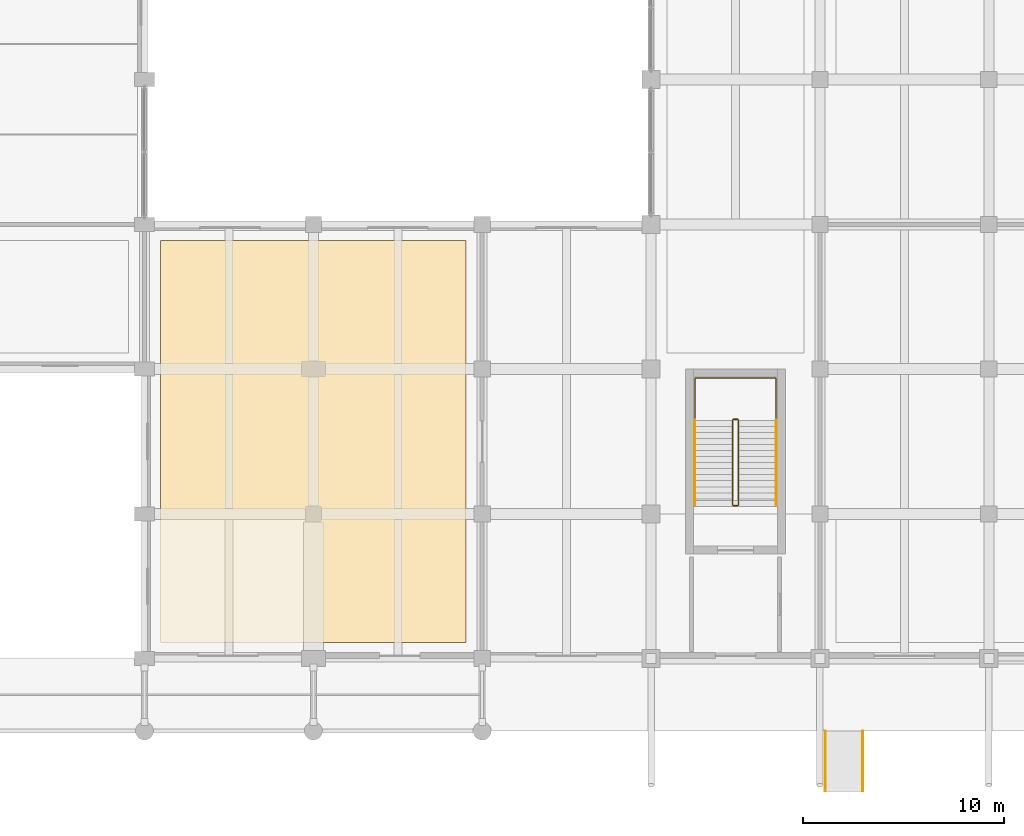
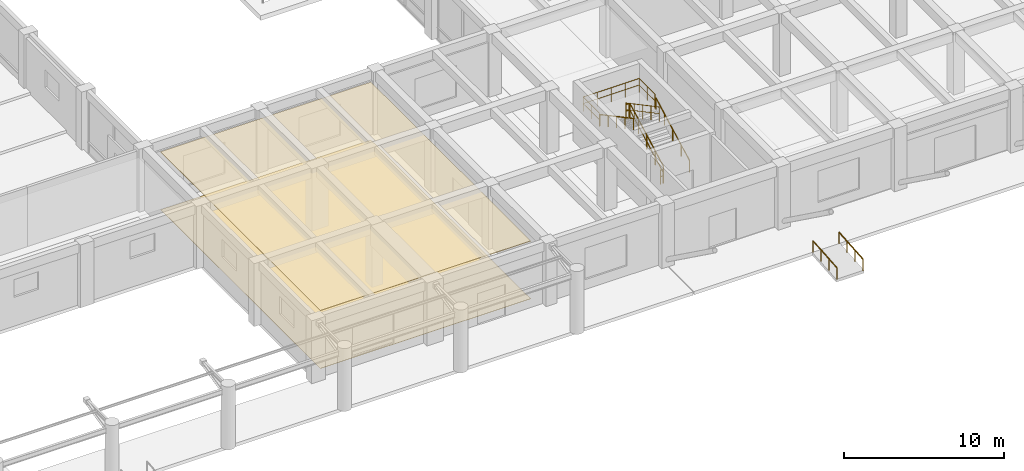
# One storey, part 39 of 49: 9 railings, 2 coverings.
"""IFC4 building model written with IfcOpenShell, lengths in metres."""

import ifcopenshell
import ifcopenshell.guid

model = None  # the IFC model being written
_history = None  # IfcOwnerHistory: only IFC2X3 demands one
_inside = {}  # id of a spatial element -> (the spatial element, [elements in it])
_under = {}  # id of a project, library or spatial element -> (it, [spatial elements below it])
_declared = {}  # id of a project -> (the project, [libraries it declares])
_typed = {}  # id of a type object -> (the type object, [elements of that type])
_made_of = {}  # id of a material, layer set ... -> (it, [elements and type objects made of it])


def new_model(schema):
    """Start an empty IFC model of exactly this schema.

    Asked for "IFC4X3", IfcOpenShell would pick the latest addendum, in which some entities
    have other attributes; the version numbers below select the first issue.
    IFC2X3 requires an IfcOwnerHistory on every rooted entity: one is made here for all.
    """
    global model, _history
    if schema == "IFC4X3":
        model = ifcopenshell.file(schema_version=(4, 3, 0, 0))
    else:
        model = ifcopenshell.file(schema=schema)
    _inside.clear()
    _under.clear()
    _declared.clear()
    _typed.clear()
    _made_of.clear()
    _history = None
    if model.schema == "IFC2X3":
        org = make("IfcOrganization", Name="unknown")
        user = make(
            "IfcPersonAndOrganization",
            ThePerson=make("IfcPerson", FamilyName="unknown"),
            TheOrganization=org,
        )
        app = make(
            "IfcApplication",
            ApplicationDeveloper=org,
            Version="unknown",
            ApplicationFullName="unknown",
            ApplicationIdentifier="unknown",
        )
        _history = make(
            "IfcOwnerHistory",
            OwningUser=user,
            OwningApplication=app,
            ChangeAction="ADDED",
            CreationDate=0,
        )
    return model


def make(cls, **values):
    """One entity of the class cls with the attributes given. An attribute that is None is left unset."""
    return model.create_entity(
        cls, **{name: value for name, value in values.items() if value is not None}
    )


def rooted(cls, **values):
    """An entity with a GlobalId (a new one), such as an element, a storey or a relation."""
    return make(cls, GlobalId=ifcopenshell.guid.new(), OwnerHistory=_history, **values)


def si_unit(unit_type, name, prefix=None):
    """IfcSIUnit, for example si_unit("LENGTHUNIT", "METRE", prefix="MILLI")."""
    return make("IfcSIUnit", UnitType=unit_type, Prefix=prefix, Name=name)


def assignment(units):
    """IfcUnitAssignment: the units of a project."""
    return None if units is None else make("IfcUnitAssignment", Units=units)


def point(xyz):
    """IfcCartesianPoint."""
    return None if xyz is None else make("IfcCartesianPoint", Coordinates=xyz)


def direction(xyz):
    """IfcDirection."""
    return None if xyz is None else make("IfcDirection", DirectionRatios=xyz)


def frame(location, z_axis=None, x_axis=None):
    """IfcAxis2Placement3D, a coordinate frame: its origin and axes. An axis left out is left unset."""
    return make(
        "IfcAxis2Placement3D",
        Location=point(location),
        Axis=direction(z_axis),
        RefDirection=direction(x_axis),
    )


def frame_2d(location, x_axis=None):
    """IfcAxis2Placement2D, a coordinate frame in the plane: its origin and x axis."""
    return make(
        "IfcAxis2Placement2D", Location=point(location), RefDirection=direction(x_axis)
    )


def origin():
    """The frame at (0, 0, 0) with its axes left unset."""
    return frame((0.0, 0.0, 0.0))


def origin_2d():
    """The frame at (0, 0) in the plane with its x axis left unset."""
    return frame_2d((0.0, 0.0))


def place(relative_to, where):
    """IfcLocalPlacement: puts the frame where relative to a parent placement (None: the world)."""
    return make(
        "IfcLocalPlacement", PlacementRelTo=relative_to, RelativePlacement=where
    )


def context(
    kind, dimensions, precision=None, world=None, true_north=None, identifier=None
):
    """IfcGeometricRepresentationContext, for example the 3D "Model" context."""
    return make(
        "IfcGeometricRepresentationContext",
        ContextIdentifier=identifier,
        ContextType=kind,
        CoordinateSpaceDimension=dimensions,
        Precision=precision,
        WorldCoordinateSystem=world,
        TrueNorth=true_north,
    )


def subcontext(parent, identifier, kind, view, scale=None):
    """IfcGeometricRepresentationSubContext, for example "Body" below "Model"."""
    return make(
        "IfcGeometricRepresentationSubContext",
        ContextIdentifier=identifier,
        ContextType=kind,
        ParentContext=parent,
        TargetScale=scale,
        TargetView=view,
    )


def project(units=None, contexts=None):
    """IfcProject with its units and contexts."""
    return rooted(
        "IfcProject",
        Name="project",
        RepresentationContexts=contexts,
        UnitsInContext=assignment(units),
    )


def spatial(cls, under=None, at=None, **own):
    """A site, building, storey or space (cls), placed at a placement, below another one or the project."""
    s = rooted(cls, ObjectPlacement=at, **own)
    if under is not None:
        _under.setdefault(under.id(), (under, []))[1].append(s)
    return s


def polyline(points):
    """IfcPolyline through the points."""
    return make("IfcPolyline", Points=[point(p) for p in points])


def profile(cls, at=None, kind="AREA", **sizes):
    """A parametric profile (cls). Its sizes go by their IFC names, for example OverallWidth=200.0."""
    return make(cls, ProfileType=kind, Position=at, **sizes)


def circle(**sizes):
    """IfcCircleProfileDef."""
    return profile("IfcCircleProfileDef", **sizes)


def outline(outer, holes=None, kind="AREA"):
    """IfcArbitraryClosedProfileDef: a profile drawn as a closed curve; with holes, ...WithVoids."""
    if holes is None:
        return make("IfcArbitraryClosedProfileDef", ProfileType=kind, OuterCurve=outer)
    return make(
        "IfcArbitraryProfileDefWithVoids",
        ProfileType=kind,
        OuterCurve=outer,
        InnerCurves=holes,
    )


def extrude(swept, where, along, depth):
    """IfcExtrudedAreaSolid: the profile swept, set in the frame where, extruded along a direction by depth."""
    return make(
        "IfcExtrudedAreaSolid",
        SweptArea=swept,
        Position=where,
        ExtrudedDirection=direction(along),
        Depth=depth,
    )


def shape(context_of_items, identifier, shape_type, items):
    """IfcShapeRepresentation: the items that make up one representation, for example the "Body"."""
    return make(
        "IfcShapeRepresentation",
        ContextOfItems=context_of_items,
        RepresentationIdentifier=identifier,
        RepresentationType=shape_type,
        Items=items,
    )


def material(Name=None, Category=None):
    """IfcMaterial."""
    return make("IfcMaterial", Name=Name, Category=Category)


def layer(
    of_material, thickness, ventilated=None, Name=None, Category=None, Priority=None
):
    """IfcMaterialLayer: one layer of a wall or slab, of a material (None: an air gap)."""
    return make(
        "IfcMaterialLayer",
        Material=of_material,
        LayerThickness=thickness,
        IsVentilated=ventilated,
        Name=Name,
        Category=Category,
        Priority=Priority,
    )


def layer_set(layers, Name=None):
    """IfcMaterialLayerSet."""
    return make("IfcMaterialLayerSet", MaterialLayers=layers, LayerSetName=Name)


def made_of(thing, what):
    """Note that an element or type object is made of a material, layer set ...; save() writes the relation."""
    if what is not None:
        _made_of.setdefault(what.id(), (what, []))[1].append(thing)
    return thing


def type_object(cls, material=None, **own):
    """A type object (cls), such as IfcWallType, which elements share."""
    return made_of(rooted(cls, **own), material)


def element(
    cls,
    number,
    at=None,
    inside=None,
    cuts=None,
    type_object=None,
    material=None,
    context=None,
    identifier="Body",
    shape_type=None,
    held_by="IfcProductDefinitionShape",
    body=None,
    shapes=None,
    **own,
):
    """One element of the class cls, such as IfcWall. Its Tag is "e" and its number.

    at: its placement. inside: the storey or other place that contains it. cuts: it is an
    opening in that element (IfcRelVoidsElement). A single representation is given by context,
    identifier, shape_type and body (its items); several are given by shapes. held_by: the class
    of the entity that holds the representations. save() writes the other relations.
    """
    e = rooted(cls, Tag="e%d" % number, ObjectPlacement=at, **own)
    if body is not None:
        shapes = [shape(context, identifier, shape_type, body)]
    if shapes is not None:
        e.Representation = make(held_by, Representations=shapes)
    if inside is not None:
        _inside.setdefault(inside.id(), (inside, []))[1].append(e)
    if cuts is not None:
        rooted(
            "IfcRelVoidsElement", RelatingBuildingElement=cuts, RelatedOpeningElement=e
        )
    if type_object is not None:
        _typed.setdefault(type_object.id(), (type_object, []))[1].append(e)
    return made_of(e, material)


def aggregate(whole, parts):
    """IfcRelAggregates: a whole, such as a stair, and the parts it consists of."""
    return rooted("IfcRelAggregates", RelatingObject=whole, RelatedObjects=parts)


def save(model, path):
    """Write the relations noted so far, then the file.

    IfcRelAggregates (storeys below a building ...), IfcRelContainedInSpatialStructure (elements
    in a storey), IfcRelDefinesByType, IfcRelAssociatesMaterial and IfcRelDeclares: one each for
    every whole, place, type object, material and project.
    """
    for whole, parts in _under.values():
        aggregate(whole, parts)
    for where, things in _inside.values():
        rooted(
            "IfcRelContainedInSpatialStructure",
            RelatedElements=things,
            RelatingStructure=where,
        )
    for kind, things in _typed.values():
        rooted("IfcRelDefinesByType", RelatedObjects=things, RelatingType=kind)
    for what, things in _made_of.values():
        rooted("IfcRelAssociatesMaterial", RelatedObjects=things, RelatingMaterial=what)
    for by, libraries in _declared.values():
        rooted("IfcRelDeclares", RelatingContext=by, RelatedDefinitions=libraries)
    model.write(path)


model = new_model("IFC4")

# Units and contexts
model_context = context("Model", 3, precision=1e-05, world=origin(), true_north=direction((0.0, 1.0)))
body_context = subcontext(model_context, "Body", "Model", "MODEL_VIEW")
ifc_project = project(units=[si_unit("LENGTHUNIT", "METRE"), si_unit("AREAUNIT", "SQUARE_METRE"), si_unit("VOLUMEUNIT", "CUBIC_METRE"), si_unit("PLANEANGLEUNIT", "RADIAN"), si_unit("MASSUNIT", "GRAM", prefix="KILO")], contexts=[model_context])

# Site, building, storey
site_placement = place(None, origin())
site = spatial("IfcSite", under=ifc_project, at=site_placement, CompositionType="ELEMENT")
building_placement = place(site_placement, origin())
building = spatial("IfcBuilding", under=site, at=building_placement, Name="Kenerak Square Central Library", CompositionType="ELEMENT")
storey_placement = place(building_placement, origin())
storey = spatial("IfcBuildingStorey", under=building, at=storey_placement, Name="L00", CompositionType="ELEMENT", Elevation=0.0)

# Coverings
ifc_material_1 = material(Name="Chengal hardwood timber SG1", Category="wood")
ifc_layer_1 = layer(ifc_material_1, 0.044921875)
ifc_layer_set_1 = layer_set([ifc_layer_1], Name="Chengal hardwood timber SG1")
covering_type_1 = type_object("IfcCoveringType", Name="Perforated Chengal Acoustic Ceiling CV-CEIL", PredefinedType="CEILING", material=ifc_layer_set_1)
covering_1_placement = place(storey_placement, frame((0.0, 0.0, 4.405029296875)))
element("IfcCovering", 1, at=covering_1_placement, inside=storey, type_object=covering_type_1, Name="Acoustic Ceiling L00-04", PredefinedType="CEILING", context=body_context, shape_type="SweptSolid", body=[
    extrude(outline(polyline([(34.0, 37.60009765625), (49.199951171875, 37.60009765625), (49.199951171875, 17.60009765625), (34.0, 17.60009765625), (34.0, 37.60009765625)])), origin(), (0.0, 0.0, 1.0), 0.044921875),
])
ifc_material_2 = material(Name="Polished granite aggregate terrazzo", Category="masonry")
ifc_layer_2 = layer(ifc_material_2, 0.02490234375)
ifc_layer_set_2 = layer_set([ifc_layer_2], Name="Polished granite aggregate terrazzo")
covering_type_2 = type_object("IfcCoveringType", Name="Polished Terrazzo Reading Floor Finish CV-FLR", PredefinedType="FLOORING", material=ifc_layer_set_2)
covering_2_placement = place(storey_placement, origin())
element("IfcCovering", 2, at=covering_2_placement, inside=storey, type_object=covering_type_2, Name="Terrazzo Floor Finish L00-04", PredefinedType="FLOORING", context=body_context, shape_type="SweptSolid", body=[
    extrude(outline(polyline([(34.0, 37.60009765625), (49.199951171875, 37.60009765625), (49.199951171875, 17.60009765625), (34.0, 17.60009765625), (34.0, 37.60009765625)])), origin(), (0.0, 0.0, 1.0), 0.02490234375),
])

# Railings
ifc_material_3 = material(Name="Steel S355", Category="steel")
railing_type_1 = type_object("IfcRailingType", Name="Safety Guardrail GR-1100 S355", PredefinedType="GUARDRAIL", material=ifc_material_3)
railing_1_placement = place(storey_placement, frame((62.75, 24.449951171875, 0.159912109375)))
element("IfcRailing", 3, at=railing_1_placement, inside=storey, type_object=railing_type_1, Name="L00 ST-04 stair guard 1", PredefinedType="GUARDRAIL", context=body_context, shape_type="SweptSolid", body=[
    extrude(circle(Radius=0.02392578125, at=origin_2d()), frame((0.0, 0.0, 1.076171875), z_axis=(0.0, 0.882351521365, 0.470590897432), x_axis=(-1.0, 0.0, 0.0)), (0.0, 0.0, 1.0), 4.760009765625),
    extrude(circle(Radius=0.01806640625, at=origin_2d()), frame((0.0, 0.0, 0.572021484375), z_axis=(0.0, 0.882351521365, 0.470590897432), x_axis=(-1.0, 0.0, 0.0)), (0.0, 0.0, 1.0), 4.760009765625),
    extrude(circle(Radius=0.02099609375, at=origin_2d()), origin(), (0.0, 0.0, 1.0), 1.052001953125),
    extrude(circle(Radius=0.02099609375, at=origin_2d()), frame((0.0, 1.050048828125, 0.56005859375)), (0.0, 0.0, 1.0), 1.052001953125),
    extrude(circle(Radius=0.02099609375, at=origin_2d()), frame((0.0, 2.10009765625, 1.1201171875)), (0.0, 0.0, 1.0), 1.052001953125),
    extrude(circle(Radius=0.02099609375, at=origin_2d()), frame((0.0, 3.14990234375, 1.679931640625)), (0.0, 0.0, 1.0), 1.052001953125),
    extrude(circle(Radius=0.02099609375, at=origin_2d()), frame((0.0, 4.199951171875, 2.239990234375)), (0.0, 0.0, 1.0), 1.052001953125),
])
railing_2_placement = place(storey_placement, frame((62.699951171875, 28.699951171875, 2.39990234375)))
element("IfcRailing", 4, at=railing_2_placement, inside=storey, type_object=railing_type_1, Name="L00 ST-04 stair guard 2", PredefinedType="GUARDRAIL", context=body_context, shape_type="SweptSolid", body=[
    extrude(circle(Radius=0.02392578125, at=origin_2d()), frame((0.0, 0.0, 1.076171875), z_axis=(-1.0, 0.0, 0.0), x_axis=(0.0, -1.0, 0.0)), (0.0, 0.0, 1.0), 0.199951171875),
    extrude(circle(Radius=0.01806640625, at=origin_2d()), frame((0.0, 0.0, 0.572021484375), z_axis=(-1.0, 0.0, 0.0), x_axis=(0.0, -1.0, 0.0)), (0.0, 0.0, 1.0), 0.199951171875),
    extrude(circle(Radius=0.02099609375, at=origin_2d()), origin(), (0.0, 0.0, 1.0), 1.052001953125),
    extrude(circle(Radius=0.02099609375, at=origin_2d()), frame((-0.199951171875, 0.0, 0.0)), (0.0, 0.0, 1.0), 1.052001953125),
])
railing_3_placement = place(storey_placement, frame((62.449951171875, 28.64990234375, 2.56005859375)))
element("IfcRailing", 5, at=railing_3_placement, inside=storey, type_object=railing_type_1, Name="L00 ST-04 stair guard 3", PredefinedType="GUARDRAIL", context=body_context, shape_type="SweptSolid", body=[
    extrude(circle(Radius=0.02392578125, at=origin_2d()), frame((0.0, 0.0, 1.076171875), z_axis=(0.0, -0.882351521365, 0.470590897432), x_axis=(1.0, 0.0, 0.0)), (0.0, 0.0, 1.0), 4.760009765625),
    extrude(circle(Radius=0.01806640625, at=origin_2d()), frame((0.0, 0.0, 0.572021484375), z_axis=(0.0, -0.882351521365, 0.470590897432), x_axis=(1.0, 0.0, 0.0)), (0.0, 0.0, 1.0), 4.760009765625),
    extrude(circle(Radius=0.02099609375, at=origin_2d()), origin(), (0.0, 0.0, 1.0), 1.052001953125),
    extrude(circle(Radius=0.02099609375, at=origin_2d()), frame((0.0, -1.050048828125, 0.56005859375)), (0.0, 0.0, 1.0), 1.052001953125),
    extrude(circle(Radius=0.02099609375, at=origin_2d()), frame((0.0, -2.10009765625, 1.1201171875)), (0.0, 0.0, 1.0), 1.052001953125),
    extrude(circle(Radius=0.02099609375, at=origin_2d()), frame((0.0, -3.14990234375, 1.679931640625)), (0.0, 0.0, 1.0), 1.052001953125),
    extrude(circle(Radius=0.02099609375, at=origin_2d()), frame((0.0, -4.199951171875, 2.239990234375)), (0.0, 0.0, 1.0), 1.052001953125),
])
railing_4_placement = place(storey_placement, frame((62.699951171875, 24.39990234375, 0.0)))
element("IfcRailing", 6, at=railing_4_placement, inside=storey, type_object=railing_type_1, Name="L00 ST-04 stair guard 4", PredefinedType="GUARDRAIL", context=body_context, shape_type="SweptSolid", body=[
    extrude(circle(Radius=0.02392578125, at=origin_2d()), frame((0.0, 0.0, 1.076171875), z_axis=(-1.0, 0.0, 0.0), x_axis=(0.0, -1.0, 0.0)), (0.0, 0.0, 1.0), 0.199951171875),
    extrude(circle(Radius=0.01806640625, at=origin_2d()), frame((0.0, 0.0, 0.572021484375), z_axis=(-1.0, 0.0, 0.0), x_axis=(0.0, -1.0, 0.0)), (0.0, 0.0, 1.0), 0.199951171875),
    extrude(circle(Radius=0.02099609375, at=origin_2d()), origin(), (0.0, 0.0, 1.0), 1.052001953125),
    extrude(circle(Radius=0.02099609375, at=origin_2d()), frame((-0.199951171875, 0.0, 0.0)), (0.0, 0.0, 1.0), 1.052001953125),
])
railing_5_placement = place(storey_placement, frame((60.580078125, 28.75, 2.39990234375)))
element("IfcRailing", 7, at=railing_5_placement, inside=storey, type_object=railing_type_1, Name="Stair Half-Landing Guard ST-04 L00", PredefinedType="GUARDRAIL", context=body_context, shape_type="SweptSolid", body=[
    extrude(circle(Radius=0.02392578125, at=origin_2d()), frame((0.0, 0.0, 1.076171875), z_axis=(0.0, 1.0, 0.0), x_axis=(-1.0, 0.0, 0.0)), (0.0, 0.0, 1.0), 2.0),
    extrude(circle(Radius=0.01806640625, at=origin_2d()), frame((0.0, 0.0, 0.572021484375), z_axis=(0.0, 1.0, 0.0), x_axis=(-1.0, 0.0, 0.0)), (0.0, 0.0, 1.0), 2.0),
    extrude(circle(Radius=0.02392578125, at=origin_2d()), frame((0.0, 2.0, 1.076171875), z_axis=(1.0, 0.0, 0.0), x_axis=(0.0, 1.0, 0.0)), (0.0, 0.0, 1.0), 4.0400390625),
    extrude(circle(Radius=0.01806640625, at=origin_2d()), frame((0.0, 2.0, 0.572021484375), z_axis=(1.0, 0.0, 0.0), x_axis=(0.0, 1.0, 0.0)), (0.0, 0.0, 1.0), 4.0400390625),
    extrude(circle(Radius=0.02392578125, at=origin_2d()), frame((4.0400390625, 2.0, 1.076171875), z_axis=(0.0, -1.0, 0.0), x_axis=(1.0, 0.0, 0.0)), (0.0, 0.0, 1.0), 2.0),
    extrude(circle(Radius=0.01806640625, at=origin_2d()), frame((4.0400390625, 2.0, 0.572021484375), z_axis=(0.0, -1.0, 0.0), x_axis=(1.0, 0.0, 0.0)), (0.0, 0.0, 1.0), 2.0),
    extrude(circle(Radius=0.02099609375, at=origin_2d()), origin(), (0.0, 0.0, 1.0), 1.052001953125),
    extrude(circle(Radius=0.02099609375, at=origin_2d()), frame((0.0, 1.0, 0.0)), (0.0, 0.0, 1.0), 1.052001953125),
    extrude(circle(Radius=0.02099609375, at=origin_2d()), frame((0.0, 2.0, 0.0)), (0.0, 0.0, 1.0), 1.052001953125),
    extrude(circle(Radius=0.02099609375, at=origin_2d()), frame((1.010009765625, 2.0, 0.0)), (0.0, 0.0, 1.0), 1.052001953125),
    extrude(circle(Radius=0.02099609375, at=origin_2d()), frame((2.02001953125, 2.0, 0.0)), (0.0, 0.0, 1.0), 1.052001953125),
    extrude(circle(Radius=0.02099609375, at=origin_2d()), frame((3.030029296875, 2.0, 0.0)), (0.0, 0.0, 1.0), 1.052001953125),
    extrude(circle(Radius=0.02099609375, at=origin_2d()), frame((4.0400390625, 2.0, 0.0)), (0.0, 0.0, 1.0), 1.052001953125),
    extrude(circle(Radius=0.02099609375, at=origin_2d()), frame((4.0400390625, 1.0, 0.0)), (0.0, 0.0, 1.0), 1.052001953125),
    extrude(circle(Radius=0.02099609375, at=origin_2d()), frame((4.0400390625, 0.0, 0.0)), (0.0, 0.0, 1.0), 1.052001953125),
])
railing_type_2 = type_object("IfcRailingType", Name="Stair Handrail HR-880 S355", PredefinedType="HANDRAIL", material=ifc_material_3)
railing_6_placement = place(storey_placement, frame((64.6298828125, 24.449951171875, 0.159912109375)))
element("IfcRailing", 8, at=railing_6_placement, inside=storey, type_object=railing_type_2, Name="L00 ST-04 stair handrail 1", PredefinedType="HANDRAIL", context=body_context, shape_type="SweptSolid", body=[
    extrude(circle(Radius=0.02392578125, at=origin_2d()), frame((0.0, 0.0, 0.85595703125), z_axis=(0.0, 0.882351521365, 0.470590897432), x_axis=(-1.0, 0.0, 0.0)), (0.0, 0.0, 1.0), 4.760009765625),
    extrude(circle(Radius=0.02099609375, at=origin_2d()), origin(), (0.0, 0.0, 1.0), 0.831787109375),
    extrude(circle(Radius=0.02099609375, at=origin_2d()), frame((0.0, 1.050048828125, 0.56005859375)), (0.0, 0.0, 1.0), 0.831787109375),
    extrude(circle(Radius=0.02099609375, at=origin_2d()), frame((0.0, 2.10009765625, 1.1201171875)), (0.0, 0.0, 1.0), 0.831787109375),
    extrude(circle(Radius=0.02099609375, at=origin_2d()), frame((0.0, 3.14990234375, 1.679931640625)), (0.0, 0.0, 1.0), 0.831787109375),
    extrude(circle(Radius=0.02099609375, at=origin_2d()), frame((0.0, 4.199951171875, 2.239990234375)), (0.0, 0.0, 1.0), 0.831787109375),
])
railing_7_placement = place(storey_placement, frame((60.570068359375, 28.64990234375, 2.56005859375)))
element("IfcRailing", 9, at=railing_7_placement, inside=storey, type_object=railing_type_2, Name="L00 ST-04 stair handrail 2", PredefinedType="HANDRAIL", context=body_context, shape_type="SweptSolid", body=[
    extrude(circle(Radius=0.02392578125, at=origin_2d()), frame((0.0, 0.0, 0.85595703125), z_axis=(0.0, -0.882351521365, 0.470590897432), x_axis=(1.0, 0.0, 0.0)), (0.0, 0.0, 1.0), 4.760009765625),
    extrude(circle(Radius=0.02099609375, at=origin_2d()), origin(), (0.0, 0.0, 1.0), 0.831787109375),
    extrude(circle(Radius=0.02099609375, at=origin_2d()), frame((0.0, -1.050048828125, 0.56005859375)), (0.0, 0.0, 1.0), 0.831787109375),
    extrude(circle(Radius=0.02099609375, at=origin_2d()), frame((0.0, -2.10009765625, 1.1201171875)), (0.0, 0.0, 1.0), 0.831787109375),
    extrude(circle(Radius=0.02099609375, at=origin_2d()), frame((0.0, -3.14990234375, 1.679931640625)), (0.0, 0.0, 1.0), 0.831787109375),
    extrude(circle(Radius=0.02099609375, at=origin_2d()), frame((0.0, -4.199951171875, 2.239990234375)), (0.0, 0.0, 1.0), 0.831787109375),
])
for number, where, name in (
    (10, (67.06005859375, 10.199951171875, -0.239990234375), "South-West Square Accessible Ramp PR-01 Handrail L"),
    (11, (68.93994140625, 10.199951171875, -0.239990234375), "South-West Square Accessible Ramp PR-01 Handrail R"),
):
    element("IfcRailing", number, at=place(storey_placement, frame(where)), inside=storey, type_object=railing_type_2, Name=name, PredefinedType="HANDRAIL", context=body_context, shape_type="SweptSolid", body=[
        extrude(circle(Radius=0.02392578125, at=origin_2d()), frame((0.0, 0.0, 0.85595703125), z_axis=(0.0, 0.996815536467, 0.079741998075), x_axis=(-1.0, 0.0, 0.0)), (0.0, 0.0, 1.0), 3.009521484375),
        extrude(circle(Radius=0.02099609375, at=origin_2d()), origin(), (0.0, 0.0, 1.0), 0.831787109375),
        extrude(circle(Radius=0.02099609375, at=origin_2d()), frame((0.0, 1.0, 0.080078125)), (0.0, 0.0, 1.0), 0.831787109375),
        extrude(circle(Radius=0.02099609375, at=origin_2d()), frame((0.0, 2.0, 0.159912109375)), (0.0, 0.0, 1.0), 0.831787109375),
        extrude(circle(Radius=0.02099609375, at=origin_2d()), frame((0.0, 3.0, 0.239990234375)), (0.0, 0.0, 1.0), 0.831787109375),
    ])

save(model, "model.ifc")
